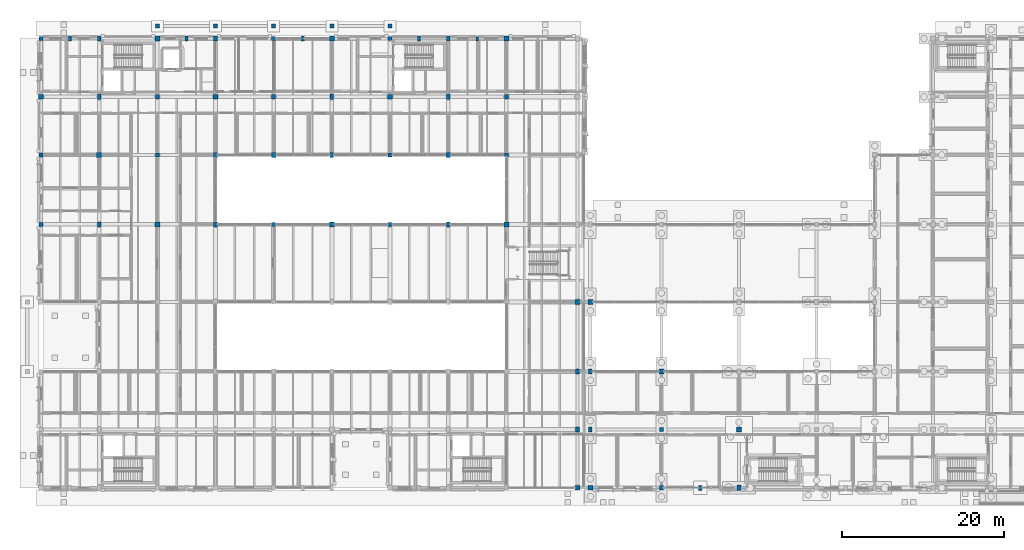
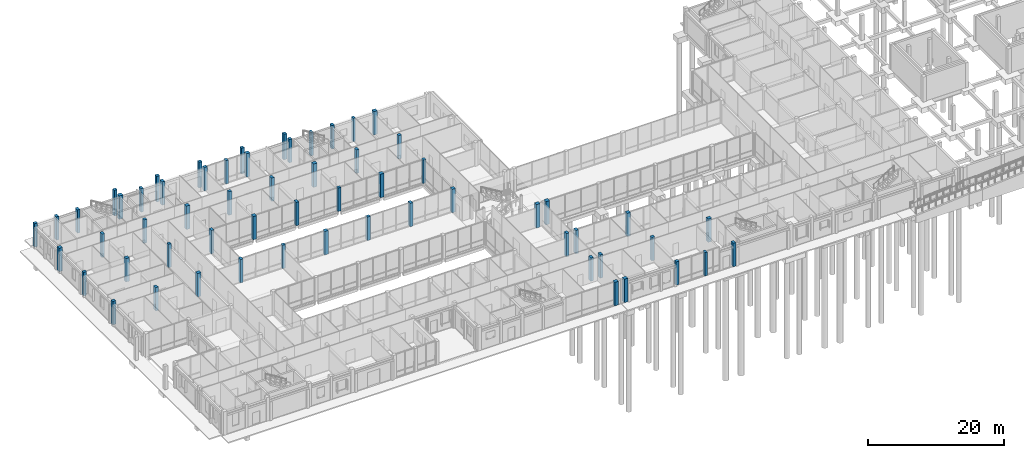
# One storey, part 7 of 104: 60 columns.
"""IFC4 building model written with IfcOpenShell, lengths in metres."""

from ifc_helpers import new_model, si_unit, direction, frame, origin, origin_2d, place, context, subcontext, project, spatial, rectangle, extrude, material, material_profile, profile_set, type_object, element, save


model = new_model("IFC4")

# Units and contexts
model_context = context("Model", 3, precision=1e-05, world=origin(), true_north=direction((0.0, 1.0)))
body_context = subcontext(model_context, "Body", "Model", "MODEL_VIEW")
ifc_project = project(units=[si_unit("LENGTHUNIT", "METRE"), si_unit("AREAUNIT", "SQUARE_METRE"), si_unit("VOLUMEUNIT", "CUBIC_METRE"), si_unit("PLANEANGLEUNIT", "RADIAN"), si_unit("MASSUNIT", "GRAM", prefix="KILO")], contexts=[model_context])

# Site, building, storey
site_placement = place(None, origin())
site = spatial("IfcSite", under=ifc_project, at=site_placement, CompositionType="ELEMENT")
building_placement = place(site_placement, origin())
building = spatial("IfcBuilding", under=site, at=building_placement, Name="Hawrajan Terrace Health Centre", CompositionType="ELEMENT")
storey_placement = place(building_placement, origin())
storey = spatial("IfcBuildingStorey", under=building, at=storey_placement, Name="L00", CompositionType="ELEMENT", Elevation=0.0)

# Columns
ifc_material = material(Name="Concrete C40/50", Category="concrete")
ifc_material_profile_1 = material_profile(ifc_material, rectangle(XDim=0.449951171875, YDim=0.64990234375, at=origin_2d()), Name="RC 450x650")
ifc_profile_set_1 = profile_set([ifc_material_profile_1], Name="Concrete C40/50")
column_type_1 = type_object("IfcColumnType", Name="RCCol_450x650", PredefinedType="COLUMN", material=ifc_profile_set_1)
for number, where, z_axis, x_axis, name in (
    (1, (72.60009765625, 11.39990234375, 0.0), (0.0, 0.0, 1.0), (1.0, 0.0, 0.0), "Column COL-L00-C-X10-Y2"),
    (2, (72.60009765625, 18.60009765625, 0.0), (0.0, 0.0, 1.0), (1.0, 0.0, 0.0), "Column COL-L00-C-X10-Y3"),
    (3, (91.0, 4.199951171875, 0.0), (0.0, 0.0, 1.0), (1.0, 0.0, 0.0), "Column COL-L00-C-X12-Y1"),
    (4, (11.800048828125, 36.800048828125, 0.0), (0.0, 0.0, 1.0), (1.0, 0.0, 0.0), "Column COL-L00-W-X02-Y5"),
    (5, (11.800048828125, 52.60009765625, 0.0), (0.0, 0.0, 1.0), (1.0, 0.0, 0.0), "Column COL-L00-W-X02-Y7"),
    (6, (11.800048828125, 59.800048828125, 0.0), (0.0, 0.0, 1.0), (1.0, 0.0, 0.0), "Column COL-L00-W-X02-Y8"),
    (7, (26.199951171875, 36.800048828125, 0.0), (0.0, 0.0, 1.0), (1.0, 0.0, 0.0), "Column COL-L00-W-X04-Y5"),
    (8, (26.199951171875, 45.39990234375, 0.0), (0.0, 0.0, 1.0), (1.0, 0.0, 0.0), "Column COL-L00-W-X04-Y6"),
    (9, (26.199951171875, 59.800048828125, 0.0), (0.0, 0.0, 1.0), (1.0, 0.0, 0.0), "Column COL-L00-W-X04-Y8"),
    (10, (40.60009765625, 45.39990234375, 0.0), (0.0, 0.0, 1.0), (1.0, 0.0, 0.0), "Column COL-L00-W-X06-Y6"),
    (11, (40.60009765625, 52.60009765625, 0.0), (0.0, 0.0, 1.0), (1.0, 0.0, 0.0), "Column COL-L00-W-X06-Y7"),
    (12, (55.0, 36.800048828125, 0.0), (0.0, 0.0, 1.0), (1.0, 0.0, 0.0), "Column COL-L00-W-X08-Y5"),
    (13, (55.0, 52.60009765625, 0.0), (0.0, 0.0, 1.0), (1.0, 0.0, 0.0), "Column COL-L00-W-X08-Y7"),
    (14, (55.0, 59.800048828125, 0.0), (0.0, 0.0, 1.0), (1.0, 0.0, 0.0), "Column COL-L00-W-X08-Y8"),
    (15, (71.0, 11.39990234375, 0.0), (0.0, 0.0, 1.0), (1.0, 0.0, 0.0), "Column COL-L00-W-X10-Y2"),
    (16, (71.0, 18.60009765625, 0.0), (0.0, 0.0, 1.0), (1.0, 0.0, 0.0), "Column COL-L00-W-X10-Y3"),
):
    element("IfcColumn", number, at=place(storey_placement, frame(where, z_axis=z_axis, x_axis=x_axis)), inside=storey, type_object=column_type_1, Name=name, PredefinedType="COLUMN", context=body_context, shape_type="SweptSolid", body=[
        extrude(rectangle(XDim=0.449951171875, YDim=0.64990234375, at=origin_2d()), origin(), (0.0, 0.0, 1.0), 4.199951171875),
    ])
ifc_material_profile_2 = material_profile(ifc_material, rectangle(XDim=0.5, YDim=0.5, at=origin_2d()), Name="RC 500x500")
ifc_profile_set_2 = profile_set([ifc_material_profile_2], Name="Concrete C40/50")
column_type_2 = type_object("IfcColumnType", Name="RCCol_500x500", PredefinedType="COLUMN", material=ifc_profile_set_2)
for number, where, z_axis, x_axis, name in (
    (17, (81.39990234375, 4.199951171875, 0.0), (0.0, 0.0, 1.0), (1.0, 0.0, 0.0), "Column COL-L00-C-X11-Y1"),
    (18, (81.39990234375, 11.39990234375, 0.0), (0.0, 0.0, 1.0), (1.0, 0.0, 0.0), "Column COL-L00-C-X11-Y2"),
    (19, (4.60009765625, 36.800048828125, 0.0), (0.0, 0.0, 1.0), (1.0, 0.0, 0.0), "Column COL-L00-W-X01-Y5"),
    (20, (4.60009765625, 45.39990234375, 0.0), (0.0, 0.0, 1.0), (1.0, 0.0, 0.0), "Column COL-L00-W-X01-Y6"),
    (21, (4.60009765625, 59.800048828125, 0.0), (0.0, 0.0, 1.0), (1.0, 0.0, 0.0), "Column COL-L00-W-X01-Y8"),
    (22, (19.0, 45.39990234375, 0.0), (0.0, 0.0, 1.0), (1.0, 0.0, 0.0), "Column COL-L00-W-X03-Y6"),
    (23, (19.0, 52.60009765625, 0.0), (0.0, 0.0, 1.0), (1.0, 0.0, 0.0), "Column COL-L00-W-X03-Y7"),
    (24, (33.39990234375, 36.800048828125, 0.0), (0.0, 0.0, 1.0), (1.0, 0.0, 0.0), "Column COL-L00-W-X05-Y5"),
    (25, (33.39990234375, 52.60009765625, 0.0), (0.0, 0.0, 1.0), (1.0, 0.0, 0.0), "Column COL-L00-W-X05-Y7"),
    (26, (33.39990234375, 59.800048828125, 0.0), (0.0, 0.0, 1.0), (1.0, 0.0, 0.0), "Column COL-L00-W-X05-Y8"),
    (27, (47.800048828125, 36.800048828125, 0.0), (0.0, 0.0, 1.0), (1.0, 0.0, 0.0), "Column COL-L00-W-X07-Y5"),
    (28, (47.800048828125, 45.39990234375, 0.0), (0.0, 0.0, 1.0), (1.0, 0.0, 0.0), "Column COL-L00-W-X07-Y6"),
    (29, (47.800048828125, 59.800048828125, 0.0), (0.0, 0.0, 1.0), (1.0, 0.0, 0.0), "Column COL-L00-W-X07-Y8"),
    (30, (62.199951171875, 45.39990234375, 0.0), (0.0, 0.0, 1.0), (1.0, 0.0, 0.0), "Column COL-L00-W-X09-Y6"),
    (31, (62.199951171875, 52.60009765625, 0.0), (0.0, 0.0, 1.0), (1.0, 0.0, 0.0), "Column COL-L00-W-X09-Y7"),
):
    element("IfcColumn", number, at=place(storey_placement, frame(where, z_axis=z_axis, x_axis=x_axis)), inside=storey, type_object=column_type_2, Name=name, PredefinedType="COLUMN", context=body_context, shape_type="SweptSolid", body=[
        extrude(rectangle(XDim=0.5, YDim=0.5, at=origin_2d()), origin(), (0.0, 0.0, 1.0), 4.199951171875),
    ])
for number, where, z_axis, x_axis, name in (
    (32, (19.0, 61.35009765625, -0.39990234375), (0.0, 0.0, 1.0), (1.0, 0.0, 0.0), "North colonnade fluted column 1"),
    (33, (26.199951171875, 61.35009765625, -0.39990234375), (0.0, 0.0, 1.0), (1.0, 0.0, 0.0), "North colonnade fluted column 2"),
    (34, (33.39990234375, 61.35009765625, -0.39990234375), (0.0, 0.0, 1.0), (1.0, 0.0, 0.0), "North colonnade fluted column 3"),
    (35, (40.60009765625, 61.35009765625, -0.39990234375), (0.0, 0.0, 1.0), (1.0, 0.0, 0.0), "North colonnade fluted column 4"),
    (36, (47.800048828125, 61.35009765625, -0.39990234375), (0.0, 0.0, 1.0), (1.0, 0.0, 0.0), "North colonnade fluted column 5"),
):
    element("IfcColumn", number, at=place(storey_placement, frame(where, z_axis=z_axis, x_axis=x_axis)), inside=storey, type_object=column_type_2, Name=name, PredefinedType="COLUMN", context=body_context, shape_type="SweptSolid", body=[
        extrude(rectangle(XDim=0.5, YDim=0.5, at=origin_2d()), origin(), (0.0, 0.0, 1.0), 4.599853515625),
    ])
ifc_material_profile_3 = material_profile(ifc_material, rectangle(XDim=0.60009765625, YDim=0.60009765625, at=origin_2d()), Name="RC 600x600")
ifc_profile_set_3 = profile_set([ifc_material_profile_3], Name="Concrete C40/50")
column_type_3 = type_object("IfcColumnType", Name="RCCol_600x600", PredefinedType="COLUMN", material=ifc_profile_set_3)
for number, where, z_axis, x_axis, name in (
    (37, (72.60009765625, 4.199951171875, 0.0), (0.0, 0.0, 1.0), (1.0, 0.0, 0.0), "Column COL-L00-C-X10-Y1"),
    (38, (72.60009765625, 27.199951171875, 0.0), (0.0, 0.0, 1.0), (1.0, 0.0, 0.0), "Column COL-L00-C-X10-Y4"),
    (39, (81.39990234375, 18.60009765625, 0.0), (0.0, 0.0, 1.0), (1.0, 0.0, 0.0), "Column COL-L00-C-X11-Y3"),
    (40, (91.0, 11.39990234375, 0.0), (0.0, 0.0, 1.0), (1.0, 0.0, 0.0), "Column COL-L00-C-X12-Y2"),
    (41, (4.60009765625, 52.60009765625, 0.0), (0.0, 0.0, 1.0), (1.0, 0.0, 0.0), "Column COL-L00-W-X01-Y7"),
    (42, (11.800048828125, 45.39990234375, 0.0), (0.0, 0.0, 1.0), (1.0, 0.0, 0.0), "Column COL-L00-W-X02-Y6"),
    (43, (19.0, 36.800048828125, 0.0), (0.0, 0.0, 1.0), (1.0, 0.0, 0.0), "Column COL-L00-W-X03-Y5"),
    (44, (19.0, 59.800048828125, 0.0), (0.0, 0.0, 1.0), (1.0, 0.0, 0.0), "Column COL-L00-W-X03-Y8"),
    (45, (26.199951171875, 52.60009765625, 0.0), (0.0, 0.0, 1.0), (1.0, 0.0, 0.0), "Column COL-L00-W-X04-Y7"),
    (46, (33.39990234375, 45.39990234375, 0.0), (0.0, 0.0, 1.0), (1.0, 0.0, 0.0), "Column COL-L00-W-X05-Y6"),
    (47, (40.60009765625, 36.800048828125, 0.0), (0.0, 0.0, 1.0), (1.0, 0.0, 0.0), "Column COL-L00-W-X06-Y5"),
    (48, (40.60009765625, 59.800048828125, 0.0), (0.0, 0.0, 1.0), (1.0, 0.0, 0.0), "Column COL-L00-W-X06-Y8"),
    (49, (47.800048828125, 52.60009765625, 0.0), (0.0, 0.0, 1.0), (1.0, 0.0, 0.0), "Column COL-L00-W-X07-Y7"),
    (50, (55.0, 45.39990234375, 0.0), (0.0, 0.0, 1.0), (1.0, 0.0, 0.0), "Column COL-L00-W-X08-Y6"),
    (51, (62.199951171875, 36.800048828125, 0.0), (0.0, 0.0, 1.0), (1.0, 0.0, 0.0), "Column COL-L00-W-X09-Y5"),
    (52, (62.199951171875, 59.800048828125, 0.0), (0.0, 0.0, 1.0), (1.0, 0.0, 0.0), "Column COL-L00-W-X09-Y8"),
    (53, (71.0, 4.199951171875, 0.0), (0.0, 0.0, 1.0), (1.0, 0.0, 0.0), "Column COL-L00-W-X10-Y1"),
    (54, (71.0, 27.199951171875, 0.0), (0.0, 0.0, 1.0), (1.0, 0.0, 0.0), "Column COL-L00-W-X10-Y4"),
):
    element("IfcColumn", number, at=place(storey_placement, frame(where, z_axis=z_axis, x_axis=x_axis)), inside=storey, type_object=column_type_3, Name=name, PredefinedType="COLUMN", context=body_context, shape_type="SweptSolid", body=[
        extrude(rectangle(XDim=0.60009765625, YDim=0.60009765625, at=origin_2d()), origin(), (0.0, 0.0, 1.0), 4.199951171875),
    ])
ifc_material_profile_4 = material_profile(ifc_material, rectangle(XDim=0.35009765625, YDim=0.550048828125, at=origin_2d()), Name="RC PIL 350x550")
ifc_profile_set_4 = profile_set([ifc_material_profile_4], Name="Concrete C40/50")
column_type_4 = type_object("IfcColumnType", Name="RCPilaster_350x550", PredefinedType="PILASTER", material=ifc_profile_set_4)
column_placement = place(storey_placement, frame((58.60009765625, 59.800048828125, 0.0), z_axis=(0.0, 0.0, 1.0), x_axis=(1.0, 0.0, 0.0)))
element("IfcColumn", 55, at=column_placement, inside=storey, type_object=column_type_4, Name="Art Deco fluted pilaster L00-08-Y8", PredefinedType="PILASTER", context=body_context, shape_type="SweptSolid", body=[
    extrude(rectangle(XDim=0.35009765625, YDim=0.550048828125, at=origin_2d()), origin(), (0.0, 0.0, 1.0), 4.199951171875),
])
ifc_material_profile_5 = material_profile(ifc_material, rectangle(XDim=0.39990234375, YDim=0.6201171875, at=origin_2d()), Name="RC PIL 400x620")
ifc_profile_set_5 = profile_set([ifc_material_profile_5], Name="Concrete C40/50")
column_type_5 = type_object("IfcColumnType", Name="RCPilaster_400x620", PredefinedType="PILASTER", material=ifc_profile_set_5)
for number, where, z_axis, x_axis, name in (
    (56, (8.199951171875, 59.800048828125, 0.0), (0.0, 0.0, 1.0), (1.0, 0.0, 0.0), "Art Deco fluted pilaster L00-01-Y8"),
    (57, (22.60009765625, 59.800048828125, 0.0), (0.0, 0.0, 1.0), (1.0, 0.0, 0.0), "Art Deco fluted pilaster L00-03-Y8"),
    (58, (37.0, 59.800048828125, 0.0), (0.0, 0.0, 1.0), (1.0, 0.0, 0.0), "Art Deco fluted pilaster L00-05-Y8"),
    (59, (51.39990234375, 59.800048828125, 0.0), (0.0, 0.0, 1.0), (1.0, 0.0, 0.0), "Art Deco fluted pilaster L00-07-Y8"),
    (60, (86.199951171875, 4.199951171875, 0.0), (0.0, 0.0, 1.0), (1.0, 0.0, 0.0), "Art Deco fluted pilaster L00-11-Y1"),
):
    element("IfcColumn", number, at=place(storey_placement, frame(where, z_axis=z_axis, x_axis=x_axis)), inside=storey, type_object=column_type_5, Name=name, PredefinedType="PILASTER", context=body_context, shape_type="SweptSolid", body=[
        extrude(rectangle(XDim=0.39990234375, YDim=0.6201171875, at=origin_2d()), origin(), (0.0, 0.0, 1.0), 4.199951171875),
    ])

save(model, "model.ifc")
